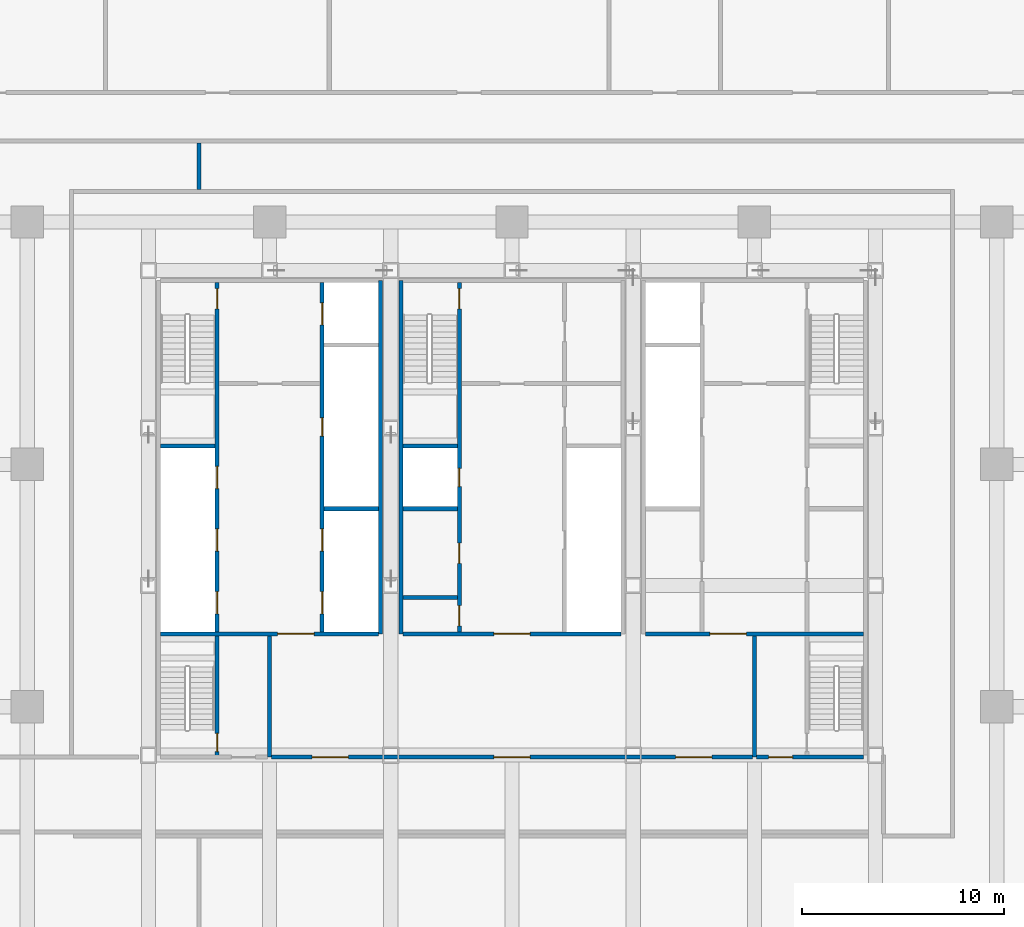
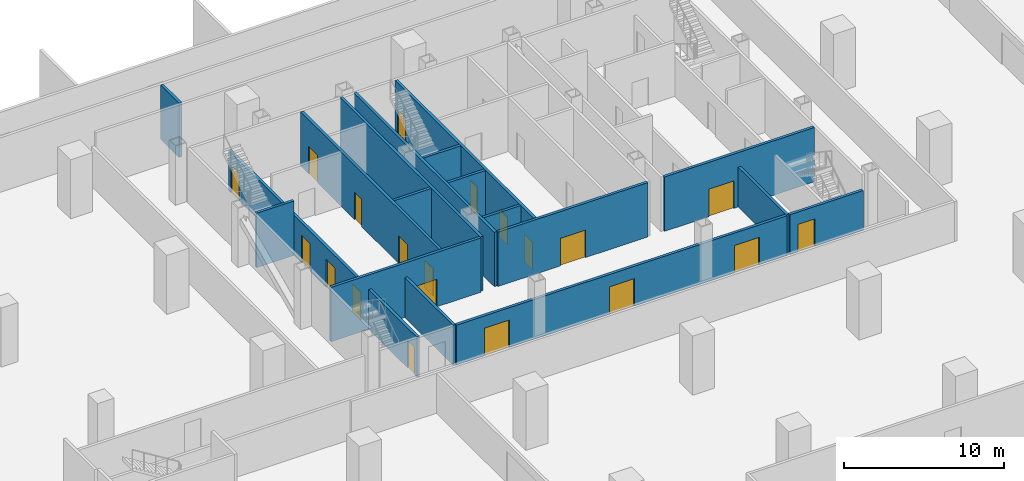
# One storey, part 4 of 15: 20 doors, 18 walls, 20 openings.
"""IFC4 building model written with IfcOpenShell, lengths in metres."""

from ifc_helpers import new_model, si_unit, direction, frame, frame_2d, origin, place, context, subcontext, project, spatial, rectangle, extrude, material, layer, layer_set, type_object, element, fill, save


model = new_model("IFC4")

# Units and contexts
model_context = context("Model", 3, precision=1e-05, world=origin(), true_north=direction((0.0, 1.0)))
body_context = subcontext(model_context, "Body", "Model", "MODEL_VIEW")
ifc_project = project(units=[si_unit("LENGTHUNIT", "METRE"), si_unit("AREAUNIT", "SQUARE_METRE"), si_unit("VOLUMEUNIT", "CUBIC_METRE"), si_unit("PLANEANGLEUNIT", "RADIAN"), si_unit("MASSUNIT", "GRAM", prefix="KILO")], contexts=[model_context])

# Site, building, storey
site_placement = place(None, origin())
site = spatial("IfcSite", under=ifc_project, at=site_placement, CompositionType="ELEMENT")
building_placement = place(site_placement, origin())
building = spatial("IfcBuilding", under=site, at=building_placement, Name="Sorahane Residences", CompositionType="ELEMENT")
storey_placement = place(building_placement, frame((0.0, 0.0, -9.0)))
storey = spatial("IfcBuildingStorey", under=building, at=storey_placement, Name="B2", CompositionType="ELEMENT", Elevation=-9.0)

# Walls
ifc_material_1 = material(Name="Concrete C30", Category="concrete")
ifc_layer_1 = layer(ifc_material_1, 0.199951171875)
ifc_layer_set_1 = layer_set([ifc_layer_1], Name="Core face wall 200 EI 180")
wall_type_1 = type_object("IfcWallType", Name="Core face wall 200 EI 180", PredefinedType="SOLIDWALL", material=ifc_layer_set_1)
for number, where, z_axis, x_axis, name in (
    (1, (17.5, 27.60009765625, 0.0), (0.0, 0.0, 1.0), (0.0, 1.0, 0.0), "B2 core face wall"),
    (2, (18.5, 27.60009765625, 0.0), (0.0, 0.0, 1.0), (0.0, 1.0, 0.0), "B2 core face wall"),
):
    element("IfcWall", number, at=place(storey_placement, frame(where, z_axis=z_axis, x_axis=x_axis)), inside=storey, type_object=wall_type_1, Name=name, PredefinedType="SOLIDWALL", context=body_context, shape_type="SweptSolid", body=[
        extrude(rectangle(XDim=17.5, YDim=0.199951171875, at=frame_2d((8.75, 0.0))), origin(), (0.0, 0.0, 1.0), 4.139892578125),
    ])
ifc_material_2 = material(Name="Concrete blockwork C20 wall", Category="masonry")
ifc_layer_2 = layer(ifc_material_2, 0.199951171875)
ifc_layer_set_2 = layer_set([ifc_layer_2], Name="Fire wall 200 EI 120")
wall_type_2 = type_object("IfcWallType", Name="Fire wall 200 EI 120", PredefinedType="SOLIDWALL", material=ifc_layer_set_2)
wall_1_placement = place(storey_placement, frame((8.5, 49.60009765625, 0.0), z_axis=(0.0, 0.0, 1.0), x_axis=(0.0, 1.0, 0.0)))
element("IfcWall", 3, at=wall_1_placement, inside=storey, type_object=wall_type_2, Name="B2 fire wall", PredefinedType="SOLIDWALL", context=body_context, shape_type="SweptSolid", body=[
    extrude(rectangle(XDim=2.2998046875, YDim=0.199951171875, at=frame_2d((1.14990234375, 0.0))), origin(), (0.0, 0.0, 1.0), 4.139892578125),
])
ifc_material_3 = material(Name="Concrete C30", Category="concrete")
ifc_layer_3 = layer(ifc_material_3, 0.199951171875)
ifc_layer_set_3 = layer_set([ifc_layer_3], Name="Front room wall 200 EI 120")
wall_type_3 = type_object("IfcWallType", Name="Front room wall 200 EI 120", PredefinedType="PARTITIONING", material=ifc_layer_set_3)
for number, where, z_axis, x_axis, name in (
    (4, (12.0, 21.5, 0.0), (0.0, 0.0, 1.0), (0.0, 1.0, 0.0), "B2 front room wall"),
    (5, (36.0, 21.5, 0.0), (0.0, 0.0, 1.0), (0.0, 1.0, 0.0), "B2 front room wall"),
):
    element("IfcWall", number, at=place(storey_placement, frame(where, z_axis=z_axis, x_axis=x_axis)), inside=storey, type_object=wall_type_3, Name=name, PredefinedType="PARTITIONING", context=body_context, shape_type="SweptSolid", body=[
        extrude(rectangle(XDim=6.0, YDim=0.199951171875, at=frame_2d((3.0, 0.0))), origin(), (0.0, 0.0, 1.0), 3.0400390625),
    ])

# Wall, openings, doors
ifc_material_4 = material(Name="Concrete C30", Category="concrete")
ifc_layer_4 = layer(ifc_material_4, 0.199951171875)
ifc_layer_set_4 = layer_set([ifc_layer_4], Name="Lift shaft wall 200 EI 120")
wall_type_4 = type_object("IfcWallType", Name="Lift shaft wall 200 EI 120", PredefinedType="SOLIDWALL", material=ifc_layer_set_4)
wall_2_placement = place(storey_placement, frame((14.60009765625, 27.699951171875, 0.0), z_axis=(0.0, 0.0, 1.0), x_axis=(0.0, 1.0, 0.0)))
wall_2 = element("IfcWall", 6, at=wall_2_placement, inside=storey, type_object=wall_type_4, Name="B2 lift shaft wall", PredefinedType="SOLIDWALL", context=body_context, shape_type="SweptSolid", body=[
    extrude(rectangle(XDim=17.300048828125, YDim=0.199951171875, at=frame_2d((8.64990234375, 0.0))), origin(), (0.0, 0.0, 1.0), 4.139892578125),
])
opening_1_placement = place(wall_2_placement, frame((0.89990234375, 0.0, 0.0)))
opening_1 = element("IfcOpeningElement", 7, at=opening_1_placement, cuts=wall_2, Name="Opening B2-C13", PredefinedType="OPENING", context=body_context, shape_type="SweptSolid", body=[
    extrude(rectangle(XDim=1.10009765625, YDim=2.10009765625, at=frame_2d((0.550048828125, 1.050048828125))), frame((0.0, 0.10986328125, 0.0), z_axis=(0.0, -1.0, 0.0), x_axis=(1.0, 0.0, 0.0)), (0.0, 0.0, 1.0), 0.219970703125),
])
opening_2_placement = place(wall_2_placement, frame((4.0, 0.0, 0.0)))
opening_2 = element("IfcOpeningElement", 8, at=opening_2_placement, cuts=wall_2, Name="Opening B2-C14", PredefinedType="OPENING", context=body_context, shape_type="SweptSolid", body=[
    extrude(rectangle(XDim=1.10009765625, YDim=2.10009765625, at=frame_2d((0.550048828125, 1.050048828125))), frame((0.0, 0.10986328125, 0.0), z_axis=(0.0, -1.0, 0.0), x_axis=(1.0, 0.0, 0.0)), (0.0, 0.0, 1.0), 0.219970703125),
])
opening_3_placement = place(wall_2_placement, frame((15.199951171875, 0.0, 0.0)))
opening_3 = element("IfcOpeningElement", 9, at=opening_3_placement, cuts=wall_2, Name="Opening B2-C15", PredefinedType="OPENING", context=body_context, shape_type="SweptSolid", body=[
    extrude(rectangle(XDim=1.10009765625, YDim=2.10009765625, at=frame_2d((0.550048828125, 1.050048828125))), frame((0.0, 0.10986328125, 0.0), z_axis=(0.0, -1.0, 0.0), x_axis=(1.0, 0.0, 0.0)), (0.0, 0.0, 1.0), 0.219970703125),
])
opening_4_placement = place(wall_2_placement, frame((9.699951171875, 0.0, 0.0)))
opening_4 = element("IfcOpeningElement", 10, at=opening_4_placement, cuts=wall_2, Name="Opening B2-C29", PredefinedType="OPENING", context=body_context, shape_type="SweptSolid", body=[
    extrude(rectangle(XDim=0.89990234375, YDim=2.10009765625, at=frame_2d((0.449951171875, 1.050048828125))), frame((0.0, 0.10986328125, 0.0), z_axis=(0.0, -1.0, 0.0), x_axis=(1.0, 0.0, 0.0)), (0.0, 0.0, 1.0), 0.219970703125),
])
ifc_material_5 = material(Name="Aluminium and stainless steel", Category="steel")
door_type_1 = type_object("IfcDoorType", Name="Lift landing door 1100x2100 E 60", OperationType="NOTDEFINED", PredefinedType="DOOR", material=ifc_material_5)
door_1_placement = place(opening_1_placement, origin())
door_1 = element("IfcDoor", 11, at=door_1_placement, inside=storey, type_object=door_type_1, Name="Lift landing door LR4 B2", OperationType="DOUBLE_DOOR_SLIDING", OverallHeight=2.10009765625, OverallWidth=1.10009765625, PredefinedType="DOOR", context=body_context, shape_type="SweptSolid", body=[
    extrude(rectangle(XDim=1.10009765625, YDim=2.10009765625, at=frame_2d((0.550048828125, 1.050048828125))), frame((0.0, 0.02490234375, 0.0), z_axis=(0.0, -1.0, 0.0), x_axis=(1.0, 0.0, 0.0)), (0.0, 0.0, 1.0), 0.050048828125),
])
fill(opening_1, door_1)
door_2_placement = place(opening_2_placement, origin())
door_2 = element("IfcDoor", 12, at=door_2_placement, inside=storey, type_object=door_type_1, Name="Lift landing door LR5 B2", OperationType="DOUBLE_DOOR_SLIDING", OverallHeight=2.10009765625, OverallWidth=1.10009765625, PredefinedType="DOOR", context=body_context, shape_type="SweptSolid", body=[
    extrude(rectangle(XDim=1.10009765625, YDim=2.10009765625, at=frame_2d((0.550048828125, 1.050048828125))), frame((0.0, 0.02490234375, 0.0), z_axis=(0.0, -1.0, 0.0), x_axis=(1.0, 0.0, 0.0)), (0.0, 0.0, 1.0), 0.050048828125),
])
fill(opening_2, door_2)
door_3_placement = place(opening_3_placement, origin())
door_3 = element("IfcDoor", 13, at=door_3_placement, inside=storey, type_object=door_type_1, Name="Lift landing door FF1 B2", OperationType="DOUBLE_DOOR_SLIDING", OverallHeight=2.10009765625, OverallWidth=1.10009765625, PredefinedType="DOOR", context=body_context, shape_type="SweptSolid", body=[
    extrude(rectangle(XDim=1.10009765625, YDim=2.10009765625, at=frame_2d((0.550048828125, 1.050048828125))), frame((0.0, 0.02490234375, 0.0), z_axis=(0.0, -1.0, 0.0), x_axis=(1.0, 0.0, 0.0)), (0.0, 0.0, 1.0), 0.050048828125),
])
fill(opening_3, door_3)
ifc_material_6 = material(Name="Steel", Category="steel")
door_type_2 = type_object("IfcDoorType", Name="Riser door 900x2100 FD120", OperationType="NOTDEFINED", PredefinedType="DOOR", material=ifc_material_6)
door_4_placement = place(opening_4_placement, origin())
door_4 = element("IfcDoor", 14, at=door_4_placement, inside=storey, type_object=door_type_2, Name="Riser door R1 B2", OperationType="SINGLE_SWING_LEFT", OverallHeight=2.10009765625, OverallWidth=0.89990234375, PredefinedType="DOOR", context=body_context, shape_type="SweptSolid", body=[
    extrude(rectangle(XDim=0.89990234375, YDim=2.10009765625, at=frame_2d((0.449951171875, 1.050048828125))), frame((0.0, 0.02490234375, 0.0), z_axis=(0.0, -1.0, 0.0), x_axis=(1.0, 0.0, 0.0)), (0.0, 0.0, 1.0), 0.050048828125),
])
fill(opening_4, door_4)

# Wall
wall_3_placement = place(storey_placement, frame((14.699951171875, 33.800048828125, 0.0), z_axis=(0.0, 0.0, 1.0), x_axis=(1.0, 0.0, 0.0)))
element("IfcWall", 15, at=wall_3_placement, inside=storey, type_object=wall_type_4, Name="B2 lift shaft wall", PredefinedType="SOLIDWALL", context=body_context, shape_type="SweptSolid", body=[
    extrude(rectangle(XDim=2.699951171875, YDim=0.199951171875, at=frame_2d((1.35009765625, 0.0))), origin(), (0.0, 0.0, 1.0), 4.139892578125),
])

# Wall, opening, door
ifc_material_7 = material(Name="Concrete C30", Category="concrete")
ifc_layer_5 = layer(ifc_material_7, 0.199951171875)
ifc_layer_set_5 = layer_set([ifc_layer_5], Name="Riser shaft wall 200 EI 120")
wall_type_5 = type_object("IfcWallType", Name="Riser shaft wall 200 EI 120", PredefinedType="SOLIDWALL", material=ifc_layer_set_5)
wall_4_placement = place(storey_placement, frame((18.60009765625, 27.60009765625, 0.0), z_axis=(0.0, 0.0, 1.0), x_axis=(1.0, 0.0, 0.0)))
wall_4 = element("IfcWall", 16, at=wall_4_placement, inside=storey, type_object=wall_type_5, Name="B2 riser wall", PredefinedType="SOLIDWALL", context=body_context, shape_type="SweptSolid", body=[
    extrude(rectangle(XDim=10.7998046875, YDim=0.199951171875, at=frame_2d((5.39990234375, 0.0))), origin(), (0.0, 0.0, 1.0), 4.139892578125),
])
opening_5_placement = place(wall_4_placement, frame((4.5, 0.0, 0.0)))
opening_5 = element("IfcOpeningElement", 17, at=opening_5_placement, cuts=wall_4, Name="Opening B2-C08", PredefinedType="OPENING", context=body_context, shape_type="SweptSolid", body=[
    extrude(rectangle(XDim=1.800048828125, YDim=2.10009765625, at=frame_2d((0.89990234375, 1.050048828125))), frame((0.0, 0.10986328125, 0.0), z_axis=(0.0, -1.0, 0.0), x_axis=(1.0, 0.0, 0.0)), (0.0, 0.0, 1.0), 0.219970703125),
])
ifc_material_8 = material(Name="Steel", Category="steel")
door_type_3 = type_object("IfcDoorType", Name="Waiting hall door 1800x2100 FD60", OperationType="NOTDEFINED", PredefinedType="DOOR", material=ifc_material_8)
door_5_placement = place(opening_5_placement, frame((1.800048828125, 0.0, 0.0), z_axis=(0.0, 0.0, 1.0), x_axis=(-1.0, 0.0, 0.0)))
door_5 = element("IfcDoor", 18, at=door_5_placement, inside=storey, type_object=door_type_3, Name="Waiting hall door Shuttle lobby B2", OperationType="SINGLE_SWING_LEFT", OverallHeight=2.10009765625, OverallWidth=1.800048828125, PredefinedType="DOOR", context=body_context, shape_type="SweptSolid", body=[
    extrude(rectangle(XDim=1.800048828125, YDim=2.10009765625, at=frame_2d((0.89990234375, 1.050048828125))), frame((0.0, 0.02490234375, 0.0), z_axis=(0.0, -1.0, 0.0), x_axis=(1.0, 0.0, 0.0)), (0.0, 0.0, 1.0), 0.050048828125),
])
fill(opening_5, door_5)

# Walls
wall_5_placement = place(storey_placement, frame((18.60009765625, 33.800048828125, 0.0), z_axis=(0.0, 0.0, 1.0), x_axis=(1.0, 0.0, 0.0)))
element("IfcWall", 19, at=wall_5_placement, inside=storey, type_object=wall_type_5, Name="B2 riser wall", PredefinedType="SOLIDWALL", context=body_context, shape_type="SweptSolid", body=[
    extrude(rectangle(XDim=2.699951171875, YDim=0.199951171875, at=frame_2d((1.35009765625, 0.0))), origin(), (0.0, 0.0, 1.0), 4.139892578125),
])
ifc_material_9 = material(Name="Concrete C30", Category="concrete")
ifc_layer_6 = layer(ifc_material_9, 0.199951171875)
ifc_layer_set_6 = layer_set([ifc_layer_6], Name="Service room partition 200 EI 60")
wall_type_6 = type_object("IfcWallType", Name="Service room partition 200 EI 60", PredefinedType="PARTITIONING", material=ifc_layer_set_6)
wall_6_placement = place(storey_placement, frame((18.60009765625, 29.39990234375, 0.0), z_axis=(0.0, 0.0, 1.0), x_axis=(1.0, 0.0, 0.0)))
element("IfcWall", 20, at=wall_6_placement, inside=storey, type_object=wall_type_6, Name="B2 service room wall", PredefinedType="PARTITIONING", context=body_context, shape_type="SweptSolid", body=[
    extrude(rectangle(XDim=2.699951171875, YDim=0.199951171875, at=frame_2d((1.35009765625, 0.0))), origin(), (0.0, 0.0, 1.0), 4.139892578125),
])

# Wall, openings, doors
ifc_material_10 = material(Name="Concrete C30", Category="concrete")
ifc_layer_7 = layer(ifc_material_10, 0.199951171875)
ifc_layer_set_7 = layer_set([ifc_layer_7], Name="Stair enclosure wall 200 EI 120")
wall_type_7 = type_object("IfcWallType", Name="Stair enclosure wall 200 EI 120", PredefinedType="SOLIDWALL", material=ifc_layer_set_7)
wall_7_placement = place(storey_placement, frame((21.39990234375, 27.699951171875, 0.0), z_axis=(0.0, 0.0, 1.0), x_axis=(0.0, 1.0, 0.0)))
wall_7 = element("IfcWall", 21, at=wall_7_placement, inside=storey, type_object=wall_type_7, Name="B2 stair enclosure wall", PredefinedType="SOLIDWALL", context=body_context, shape_type="SweptSolid", body=[
    extrude(rectangle(XDim=17.300048828125, YDim=0.199951171875, at=frame_2d((8.64990234375, 0.0))), origin(), (0.0, 0.0, 1.0), 4.139892578125),
])
opening_6_placement = place(wall_7_placement, frame((0.300048828125, 0.0, 0.0)))
opening_6 = element("IfcOpeningElement", 22, at=opening_6_placement, cuts=wall_7, Name="Opening B2-C19", PredefinedType="OPENING", context=body_context, shape_type="SweptSolid", body=[
    extrude(rectangle(XDim=1.0, YDim=2.10009765625, at=frame_2d((0.5, 1.050048828125))), frame((0.0, 0.10986328125, 0.0), z_axis=(0.0, -1.0, 0.0), x_axis=(1.0, 0.0, 0.0)), (0.0, 0.0, 1.0), 0.219970703125),
])
opening_7_placement = place(wall_7_placement, frame((3.39990234375, 0.0, 0.0)))
opening_7 = element("IfcOpeningElement", 23, at=opening_7_placement, cuts=wall_7, Name="Opening B2-C20", PredefinedType="OPENING", context=body_context, shape_type="SweptSolid", body=[
    extrude(rectangle(XDim=1.0, YDim=2.10009765625, at=frame_2d((0.5, 1.050048828125))), frame((0.0, 0.10986328125, 0.0), z_axis=(0.0, -1.0, 0.0), x_axis=(1.0, 0.0, 0.0)), (0.0, 0.0, 1.0), 0.219970703125),
])
opening_8_placement = place(wall_7_placement, frame((16.0, 0.0, 0.0)))
opening_8 = element("IfcOpeningElement", 24, at=opening_8_placement, cuts=wall_7, Name="Opening B2-C26", PredefinedType="OPENING", context=body_context, shape_type="SweptSolid", body=[
    extrude(rectangle(XDim=1.0, YDim=2.10009765625, at=frame_2d((0.5, 1.050048828125))), frame((0.0, 0.10986328125, 0.0), z_axis=(0.0, -1.0, 0.0), x_axis=(1.0, 0.0, 0.0)), (0.0, 0.0, 1.0), 0.219970703125),
])
opening_9_placement = place(wall_7_placement, frame((7.199951171875, 0.0, 0.0)))
opening_9 = element("IfcOpeningElement", 25, at=opening_9_placement, cuts=wall_7, Name="Opening B2-C31", PredefinedType="OPENING", context=body_context, shape_type="SweptSolid", body=[
    extrude(rectangle(XDim=0.89990234375, YDim=2.10009765625, at=frame_2d((0.449951171875, 1.050048828125))), frame((0.0, 0.10986328125, 0.0), z_axis=(0.0, -1.0, 0.0), x_axis=(1.0, 0.0, 0.0)), (0.0, 0.0, 1.0), 0.219970703125),
])
door_6_placement = place(opening_9_placement, frame((0.89990234375, 0.0, 0.0), z_axis=(0.0, 0.0, 1.0), x_axis=(-1.0, 0.0, 0.0)))
door_6 = element("IfcDoor", 26, at=door_6_placement, inside=storey, type_object=door_type_2, Name="Riser door R3 B2", OperationType="SINGLE_SWING_LEFT", OverallHeight=2.10009765625, OverallWidth=0.89990234375, PredefinedType="DOOR", context=body_context, shape_type="SweptSolid", body=[
    extrude(rectangle(XDim=0.89990234375, YDim=2.10009765625, at=frame_2d((0.449951171875, 1.050048828125))), frame((0.0, 0.02490234375, 0.0), z_axis=(0.0, -1.0, 0.0), x_axis=(1.0, 0.0, 0.0)), (0.0, 0.0, 1.0), 0.050048828125),
])
fill(opening_9, door_6)
ifc_material_11 = material(Name="Steel", Category="steel")
door_type_4 = type_object("IfcDoorType", Name="Service room door 1000x2100 FD60", OperationType="NOTDEFINED", PredefinedType="DOOR", material=ifc_material_11)
door_7_placement = place(opening_6_placement, origin())
door_7 = element("IfcDoor", 27, at=door_7_placement, inside=storey, type_object=door_type_4, Name="Service room door Coat store B2", OperationType="SINGLE_SWING_RIGHT", OverallHeight=2.10009765625, OverallWidth=1.0, PredefinedType="DOOR", context=body_context, shape_type="SweptSolid", body=[
    extrude(rectangle(XDim=1.0, YDim=2.10009765625, at=frame_2d((0.5, 1.050048828125))), frame((0.0, 0.02490234375, 0.0), z_axis=(0.0, -1.0, 0.0), x_axis=(1.0, 0.0, 0.0)), (0.0, 0.0, 1.0), 0.050048828125),
])
fill(opening_6, door_7)
door_8_placement = place(opening_7_placement, origin())
door_8 = element("IfcDoor", 28, at=door_8_placement, inside=storey, type_object=door_type_4, Name="Service room door Reading room B2", OperationType="SINGLE_SWING_LEFT", OverallHeight=2.10009765625, OverallWidth=1.0, PredefinedType="DOOR", context=body_context, shape_type="SweptSolid", body=[
    extrude(rectangle(XDim=1.0, YDim=2.10009765625, at=frame_2d((0.5, 1.050048828125))), frame((0.0, 0.02490234375, 0.0), z_axis=(0.0, -1.0, 0.0), x_axis=(1.0, 0.0, 0.0)), (0.0, 0.0, 1.0), 0.050048828125),
])
fill(opening_7, door_8)
ifc_material_12 = material(Name="Steel", Category="steel")
door_type_5 = type_object("IfcDoorType", Name="Stair door 1000x2100 FD120", OperationType="NOTDEFINED", PredefinedType="DOOR", material=ifc_material_12)
door_9_placement = place(opening_8_placement, origin())
door_9 = element("IfcDoor", 29, at=door_9_placement, inside=storey, type_object=door_type_5, Name="Stair door S3 B2", OperationType="SINGLE_SWING_LEFT", OverallHeight=2.10009765625, OverallWidth=1.0, PredefinedType="DOOR", context=body_context, shape_type="SweptSolid", body=[
    extrude(rectangle(XDim=1.0, YDim=2.10009765625, at=frame_2d((0.5, 1.050048828125))), frame((0.0, 0.02490234375, 0.0), z_axis=(0.0, -1.0, 0.0), x_axis=(1.0, 0.0, 0.0)), (0.0, 0.0, 1.0), 0.050048828125),
])
fill(opening_8, door_9)

wall_8_placement = place(storey_placement, frame((9.39990234375, 21.5, 0.0), z_axis=(0.0, 0.0, 1.0), x_axis=(0.0, 1.0, 0.0)))
wall_8 = element("IfcWall", 30, at=wall_8_placement, inside=storey, type_object=wall_type_7, Name="B2 stair enclosure wall", PredefinedType="SOLIDWALL", context=body_context, shape_type="SweptSolid", body=[
    extrude(rectangle(XDim=23.5, YDim=0.199951171875, at=frame_2d((11.75, 0.0))), origin(), (0.0, 0.0, 1.0), 3.0400390625),
])
opening_10_placement = place(wall_8_placement, frame((7.10009765625, 0.0, 0.0)))
opening_10 = element("IfcOpeningElement", 31, at=opening_10_placement, cuts=wall_8, Name="Opening B2-C16", PredefinedType="OPENING", context=body_context, shape_type="SweptSolid", body=[
    extrude(rectangle(XDim=1.10009765625, YDim=2.10009765625, at=frame_2d((0.550048828125, 1.050048828125))), frame((0.0, 0.10986328125, 0.0), z_axis=(0.0, -1.0, 0.0), x_axis=(1.0, 0.0, 0.0)), (0.0, 0.0, 1.0), 0.219970703125),
])
opening_11_placement = place(wall_8_placement, frame((10.199951171875, 0.0, 0.0)))
opening_11 = element("IfcOpeningElement", 32, at=opening_11_placement, cuts=wall_8, Name="Opening B2-C17", PredefinedType="OPENING", context=body_context, shape_type="SweptSolid", body=[
    extrude(rectangle(XDim=1.10009765625, YDim=2.10009765625, at=frame_2d((0.550048828125, 1.050048828125))), frame((0.0, 0.10986328125, 0.0), z_axis=(0.0, -1.0, 0.0), x_axis=(1.0, 0.0, 0.0)), (0.0, 0.0, 1.0), 0.219970703125),
])
opening_12_placement = place(wall_8_placement, frame((13.300048828125, 0.0, 0.0)))
opening_12 = element("IfcOpeningElement", 33, at=opening_12_placement, cuts=wall_8, Name="Opening B2-C18", PredefinedType="OPENING", context=body_context, shape_type="SweptSolid", body=[
    extrude(rectangle(XDim=1.10009765625, YDim=2.10009765625, at=frame_2d((0.550048828125, 1.050048828125))), frame((0.0, 0.10986328125, 0.0), z_axis=(0.0, -1.0, 0.0), x_axis=(1.0, 0.0, 0.0)), (0.0, 0.0, 1.0), 0.219970703125),
])
opening_13_placement = place(wall_8_placement, frame((22.199951171875, 0.0, 0.0)))
opening_13 = element("IfcOpeningElement", 34, at=opening_13_placement, cuts=wall_8, Name="Opening B2-C24", PredefinedType="OPENING", context=body_context, shape_type="SweptSolid", body=[
    extrude(rectangle(XDim=1.0, YDim=2.10009765625, at=frame_2d((0.5, 1.050048828125))), frame((0.0, 0.10986328125, 0.0), z_axis=(0.0, -1.0, 0.0), x_axis=(1.0, 0.0, 0.0)), (0.0, 0.0, 1.0), 0.219970703125),
])
opening_14_placement = place(wall_8_placement, frame((0.27490234375, 0.0, 0.0)))
opening_14 = element("IfcOpeningElement", 35, at=opening_14_placement, cuts=wall_8, Name="Opening B2-C27", PredefinedType="OPENING", context=body_context, shape_type="SweptSolid", body=[
    extrude(rectangle(XDim=0.89990234375, YDim=2.10009765625, at=frame_2d((0.449951171875, 1.050048828125))), frame((0.0, 0.10986328125, 0.0), z_axis=(0.0, -1.0, 0.0), x_axis=(1.0, 0.0, 0.0)), (0.0, 0.0, 1.0), 0.219970703125),
])
door_10_placement = place(opening_10_placement, origin())
door_10 = element("IfcDoor", 36, at=door_10_placement, inside=storey, type_object=door_type_1, Name="Lift landing door LR1 B2", OperationType="DOUBLE_DOOR_SLIDING", OverallHeight=2.10009765625, OverallWidth=1.10009765625, PredefinedType="DOOR", context=body_context, shape_type="SweptSolid", body=[
    extrude(rectangle(XDim=1.10009765625, YDim=2.10009765625, at=frame_2d((0.550048828125, 1.050048828125))), frame((0.0, 0.02490234375, 0.0), z_axis=(0.0, -1.0, 0.0), x_axis=(1.0, 0.0, 0.0)), (0.0, 0.0, 1.0), 0.050048828125),
])
fill(opening_10, door_10)
door_11_placement = place(opening_11_placement, origin())
door_11 = element("IfcDoor", 37, at=door_11_placement, inside=storey, type_object=door_type_1, Name="Lift landing door LR2 B2", OperationType="DOUBLE_DOOR_SLIDING", OverallHeight=2.10009765625, OverallWidth=1.10009765625, PredefinedType="DOOR", context=body_context, shape_type="SweptSolid", body=[
    extrude(rectangle(XDim=1.10009765625, YDim=2.10009765625, at=frame_2d((0.550048828125, 1.050048828125))), frame((0.0, 0.02490234375, 0.0), z_axis=(0.0, -1.0, 0.0), x_axis=(1.0, 0.0, 0.0)), (0.0, 0.0, 1.0), 0.050048828125),
])
fill(opening_11, door_11)
door_12_placement = place(opening_12_placement, origin())
door_12 = element("IfcDoor", 38, at=door_12_placement, inside=storey, type_object=door_type_1, Name="Lift landing door LR3 B2", OperationType="DOUBLE_DOOR_SLIDING", OverallHeight=2.10009765625, OverallWidth=1.10009765625, PredefinedType="DOOR", context=body_context, shape_type="SweptSolid", body=[
    extrude(rectangle(XDim=1.10009765625, YDim=2.10009765625, at=frame_2d((0.550048828125, 1.050048828125))), frame((0.0, 0.02490234375, 0.0), z_axis=(0.0, -1.0, 0.0), x_axis=(1.0, 0.0, 0.0)), (0.0, 0.0, 1.0), 0.050048828125),
])
fill(opening_12, door_12)
door_13_placement = place(opening_13_placement, origin())
door_13 = element("IfcDoor", 39, at=door_13_placement, inside=storey, type_object=door_type_5, Name="Stair door S1 B2", OperationType="SINGLE_SWING_LEFT", OverallHeight=2.10009765625, OverallWidth=1.0, PredefinedType="DOOR", context=body_context, shape_type="SweptSolid", body=[
    extrude(rectangle(XDim=1.0, YDim=2.10009765625, at=frame_2d((0.5, 1.050048828125))), frame((0.0, 0.02490234375, 0.0), z_axis=(0.0, -1.0, 0.0), x_axis=(1.0, 0.0, 0.0)), (0.0, 0.0, 1.0), 0.050048828125),
])
fill(opening_13, door_13)
ifc_material_13 = material(Name="Steel", Category="steel")
door_type_6 = type_object("IfcDoorType", Name="Stair door 900x2100 FD120", OperationType="NOTDEFINED", PredefinedType="DOOR", material=ifc_material_13)
door_14_placement = place(opening_14_placement, origin())
door_14 = element("IfcDoor", 40, at=door_14_placement, inside=storey, type_object=door_type_6, Name="Stair door S4 B2", OperationType="SINGLE_SWING_LEFT", OverallHeight=2.10009765625, OverallWidth=0.89990234375, PredefinedType="DOOR", context=body_context, shape_type="SweptSolid", body=[
    extrude(rectangle(XDim=0.89990234375, YDim=2.10009765625, at=frame_2d((0.449951171875, 1.050048828125))), frame((0.0, 0.02490234375, 0.0), z_axis=(0.0, -1.0, 0.0), x_axis=(1.0, 0.0, 0.0)), (0.0, 0.0, 1.0), 0.050048828125),
])
fill(opening_14, door_14)

# Wall, opening, door
wall_9_placement = place(storey_placement, frame((36.10009765625, 21.5, 0.0), z_axis=(0.0, 0.0, 1.0), x_axis=(1.0, 0.0, 0.0)))
wall_9 = element("IfcWall", 41, at=wall_9_placement, inside=storey, type_object=wall_type_7, Name="B2 stair enclosure wall", PredefinedType="SOLIDWALL", context=body_context, shape_type="SweptSolid", body=[
    extrude(rectangle(XDim=5.2998046875, YDim=0.199951171875, at=frame_2d((2.64990234375, 0.0))), origin(), (0.0, 0.0, 1.0), 3.0400390625),
])
opening_15_placement = place(wall_9_placement, frame((0.60009765625, 0.0, 0.0)))
opening_15 = element("IfcOpeningElement", 42, at=opening_15_placement, cuts=wall_9, Name="Opening B2-C05", PredefinedType="OPENING", context=body_context, shape_type="SweptSolid", body=[
    extrude(rectangle(XDim=1.199951171875, YDim=2.10009765625, at=frame_2d((0.60009765625, 1.050048828125))), frame((0.0, 0.10986328125, 0.0), z_axis=(0.0, -1.0, 0.0), x_axis=(1.0, 0.0, 0.0)), (0.0, 0.0, 1.0), 0.219970703125),
])
ifc_material_14 = material(Name="Steel", Category="steel")
door_type_7 = type_object("IfcDoorType", Name="Stair front room door 1200x2100 FD120", OperationType="NOTDEFINED", PredefinedType="DOOR", material=ifc_material_14)
door_15_placement = place(opening_15_placement, frame((1.199951171875, 0.0, 0.0), z_axis=(0.0, 0.0, 1.0), x_axis=(-1.0, 0.0, 0.0)))
door_15 = element("IfcDoor", 43, at=door_15_placement, inside=storey, type_object=door_type_7, Name="Stair front room door Stair S5 front room B2", OperationType="SINGLE_SWING_RIGHT", OverallHeight=2.10009765625, OverallWidth=1.199951171875, PredefinedType="DOOR", context=body_context, shape_type="SweptSolid", body=[
    extrude(rectangle(XDim=1.199951171875, YDim=2.10009765625, at=frame_2d((0.60009765625, 1.050048828125))), frame((0.0, 0.02490234375, 0.0), z_axis=(0.0, -1.0, 0.0), x_axis=(1.0, 0.0, 0.0)), (0.0, 0.0, 1.0), 0.050048828125),
])
fill(opening_15, door_15)

wall_10_placement = place(storey_placement, frame((30.60009765625, 27.60009765625, 0.0), z_axis=(0.0, 0.0, 1.0), x_axis=(1.0, 0.0, 0.0)))
wall_10 = element("IfcWall", 44, at=wall_10_placement, inside=storey, type_object=wall_type_7, Name="B2 stair enclosure wall", PredefinedType="SOLIDWALL", context=body_context, shape_type="SweptSolid", body=[
    extrude(rectangle(XDim=10.7998046875, YDim=0.199951171875, at=frame_2d((5.39990234375, 0.0))), origin(), (0.0, 0.0, 1.0), 4.139892578125),
])
opening_16_placement = place(wall_10_placement, frame((3.199951171875, 0.0, 0.0)))
opening_16 = element("IfcOpeningElement", 45, at=opening_16_placement, cuts=wall_10, Name="Opening B2-C10", PredefinedType="OPENING", context=body_context, shape_type="SweptSolid", body=[
    extrude(rectangle(XDim=1.800048828125, YDim=2.10009765625, at=frame_2d((0.89990234375, 1.050048828125))), frame((0.0, 0.10986328125, 0.0), z_axis=(0.0, -1.0, 0.0), x_axis=(1.0, 0.0, 0.0)), (0.0, 0.0, 1.0), 0.219970703125),
])
door_16_placement = place(opening_16_placement, frame((1.800048828125, 0.0, 0.0), z_axis=(0.0, 0.0, 1.0), x_axis=(-1.0, 0.0, 0.0)))
door_16 = element("IfcDoor", 46, at=door_16_placement, inside=storey, type_object=door_type_3, Name="Waiting hall door High-rise lift lobby B2", OperationType="SINGLE_SWING_LEFT", OverallHeight=2.10009765625, OverallWidth=1.800048828125, PredefinedType="DOOR", context=body_context, shape_type="SweptSolid", body=[
    extrude(rectangle(XDim=1.800048828125, YDim=2.10009765625, at=frame_2d((0.89990234375, 1.050048828125))), frame((0.0, 0.02490234375, 0.0), z_axis=(0.0, -1.0, 0.0), x_axis=(1.0, 0.0, 0.0)), (0.0, 0.0, 1.0), 0.050048828125),
])
fill(opening_16, door_16)

wall_11_placement = place(storey_placement, frame((6.60009765625, 27.60009765625, 0.0), z_axis=(0.0, 0.0, 1.0), x_axis=(1.0, 0.0, 0.0)))
wall_11 = element("IfcWall", 47, at=wall_11_placement, inside=storey, type_object=wall_type_7, Name="B2 stair enclosure wall", PredefinedType="SOLIDWALL", context=body_context, shape_type="SweptSolid", body=[
    extrude(rectangle(XDim=10.7998046875, YDim=0.199951171875, at=frame_2d((5.39990234375, 0.0))), origin(), (0.0, 0.0, 1.0), 4.139892578125),
])
opening_17_placement = place(wall_11_placement, frame((5.800048828125, 0.0, 0.0)))
opening_17 = element("IfcOpeningElement", 48, at=opening_17_placement, cuts=wall_11, Name="Opening B2-C06", PredefinedType="OPENING", context=body_context, shape_type="SweptSolid", body=[
    extrude(rectangle(XDim=1.800048828125, YDim=2.10009765625, at=frame_2d((0.89990234375, 1.050048828125))), frame((0.0, 0.10986328125, 0.0), z_axis=(0.0, -1.0, 0.0), x_axis=(1.0, 0.0, 0.0)), (0.0, 0.0, 1.0), 0.219970703125),
])
door_17_placement = place(opening_17_placement, frame((1.800048828125, 0.0, 0.0), z_axis=(0.0, 0.0, 1.0), x_axis=(-1.0, 0.0, 0.0)))
door_17 = element("IfcDoor", 49, at=door_17_placement, inside=storey, type_object=door_type_3, Name="Waiting hall door Low-rise lift lobby B2", OperationType="SINGLE_SWING_LEFT", OverallHeight=2.10009765625, OverallWidth=1.800048828125, PredefinedType="DOOR", context=body_context, shape_type="SweptSolid", body=[
    extrude(rectangle(XDim=1.800048828125, YDim=2.10009765625, at=frame_2d((0.89990234375, 1.050048828125))), frame((0.0, 0.02490234375, 0.0), z_axis=(0.0, -1.0, 0.0), x_axis=(1.0, 0.0, 0.0)), (0.0, 0.0, 1.0), 0.050048828125),
])
fill(opening_17, door_17)

# Walls
for number, where, z_axis, x_axis, name in (
    (50, (18.60009765625, 36.89990234375, 0.0), (0.0, 0.0, 1.0), (1.0, 0.0, 0.0), "B2 stair enclosure wall"),
    (51, (6.60009765625, 36.89990234375, 0.0), (0.0, 0.0, 1.0), (1.0, 0.0, 0.0), "B2 stair enclosure wall"),
):
    element("IfcWall", number, at=place(storey_placement, frame(where, z_axis=z_axis, x_axis=x_axis)), inside=storey, type_object=wall_type_7, Name=name, PredefinedType="SOLIDWALL", context=body_context, shape_type="SweptSolid", body=[
        extrude(rectangle(XDim=2.699951171875, YDim=0.199951171875, at=frame_2d((1.35009765625, 0.0))), origin(), (0.0, 0.0, 1.0), 4.139892578125),
    ])

# Wall, openings, doors
ifc_material_15 = material(Name="Concrete C30", Category="concrete")
ifc_layer_8 = layer(ifc_material_15, 0.199951171875)
ifc_layer_set_8 = layer_set([ifc_layer_8], Name="Waiting hall wall 200 EI 120")
wall_type_8 = type_object("IfcWallType", Name="Waiting hall wall 200 EI 120", PredefinedType="SOLIDWALL", material=ifc_layer_set_8)
wall_12_placement = place(storey_placement, frame((12.10009765625, 21.5, 0.0), z_axis=(0.0, 0.0, 1.0), x_axis=(1.0, 0.0, 0.0)))
wall_12 = element("IfcWall", 52, at=wall_12_placement, inside=storey, type_object=wall_type_8, Name="B2 waiting hall wall", PredefinedType="SOLIDWALL", context=body_context, shape_type="SweptSolid", body=[
    extrude(rectangle(XDim=23.7998046875, YDim=0.199951171875, at=frame_2d((11.89990234375, 0.0))), origin(), (0.0, 0.0, 1.0), 3.0400390625),
])
opening_18_placement = place(wall_12_placement, frame((2.0, 0.0, 0.0)))
opening_18 = element("IfcOpeningElement", 53, at=opening_18_placement, cuts=wall_12, Name="Opening B2-C01", PredefinedType="OPENING", context=body_context, shape_type="SweptSolid", body=[
    extrude(rectangle(XDim=1.800048828125, YDim=2.10009765625, at=frame_2d((0.89990234375, 1.050048828125))), frame((0.0, 0.10986328125, 0.0), z_axis=(0.0, -1.0, 0.0), x_axis=(1.0, 0.0, 0.0)), (0.0, 0.0, 1.0), 0.219970703125),
])
opening_19_placement = place(wall_12_placement, frame((11.0, 0.0, 0.0)))
opening_19 = element("IfcOpeningElement", 54, at=opening_19_placement, cuts=wall_12, Name="Opening B2-C02", PredefinedType="OPENING", context=body_context, shape_type="SweptSolid", body=[
    extrude(rectangle(XDim=1.800048828125, YDim=2.10009765625, at=frame_2d((0.89990234375, 1.050048828125))), frame((0.0, 0.10986328125, 0.0), z_axis=(0.0, -1.0, 0.0), x_axis=(1.0, 0.0, 0.0)), (0.0, 0.0, 1.0), 0.219970703125),
])
opening_20_placement = place(wall_12_placement, frame((20.0, 0.0, 0.0)))
opening_20 = element("IfcOpeningElement", 55, at=opening_20_placement, cuts=wall_12, Name="Opening B2-C03", PredefinedType="OPENING", context=body_context, shape_type="SweptSolid", body=[
    extrude(rectangle(XDim=1.800048828125, YDim=2.10009765625, at=frame_2d((0.89990234375, 1.050048828125))), frame((0.0, 0.10986328125, 0.0), z_axis=(0.0, -1.0, 0.0), x_axis=(1.0, 0.0, 0.0)), (0.0, 0.0, 1.0), 0.219970703125),
])
door_18_placement = place(opening_18_placement, frame((1.800048828125, 0.0, 0.0), z_axis=(0.0, 0.0, 1.0), x_axis=(-1.0, 0.0, 0.0)))
door_18 = element("IfcDoor", 56, at=door_18_placement, inside=storey, type_object=door_type_3, Name="Waiting hall door Residents' waiting hall B2", OperationType="SINGLE_SWING_RIGHT", OverallHeight=2.10009765625, OverallWidth=1.800048828125, PredefinedType="DOOR", context=body_context, shape_type="SweptSolid", body=[
    extrude(rectangle(XDim=1.800048828125, YDim=2.10009765625, at=frame_2d((0.89990234375, 1.050048828125))), frame((0.0, 0.02490234375, 0.0), z_axis=(0.0, -1.0, 0.0), x_axis=(1.0, 0.0, 0.0)), (0.0, 0.0, 1.0), 0.050048828125),
])
fill(opening_18, door_18)
door_19_placement = place(opening_19_placement, frame((1.800048828125, 0.0, 0.0), z_axis=(0.0, 0.0, 1.0), x_axis=(-1.0, 0.0, 0.0)))
door_19 = element("IfcDoor", 57, at=door_19_placement, inside=storey, type_object=door_type_3, Name="Waiting hall door Residents' waiting hall B2", OperationType="SINGLE_SWING_RIGHT", OverallHeight=2.10009765625, OverallWidth=1.800048828125, PredefinedType="DOOR", context=body_context, shape_type="SweptSolid", body=[
    extrude(rectangle(XDim=1.800048828125, YDim=2.10009765625, at=frame_2d((0.89990234375, 1.050048828125))), frame((0.0, 0.02490234375, 0.0), z_axis=(0.0, -1.0, 0.0), x_axis=(1.0, 0.0, 0.0)), (0.0, 0.0, 1.0), 0.050048828125),
])
fill(opening_19, door_19)
door_20_placement = place(opening_20_placement, frame((1.800048828125, 0.0, 0.0), z_axis=(0.0, 0.0, 1.0), x_axis=(-1.0, 0.0, 0.0)))
door_20 = element("IfcDoor", 58, at=door_20_placement, inside=storey, type_object=door_type_3, Name="Waiting hall door Residents' waiting hall B2", OperationType="SINGLE_SWING_RIGHT", OverallHeight=2.10009765625, OverallWidth=1.800048828125, PredefinedType="DOOR", context=body_context, shape_type="SweptSolid", body=[
    extrude(rectangle(XDim=1.800048828125, YDim=2.10009765625, at=frame_2d((0.89990234375, 1.050048828125))), frame((0.0, 0.02490234375, 0.0), z_axis=(0.0, -1.0, 0.0), x_axis=(1.0, 0.0, 0.0)), (0.0, 0.0, 1.0), 0.050048828125),
])
fill(opening_20, door_20)

save(model, "model.ifc")
